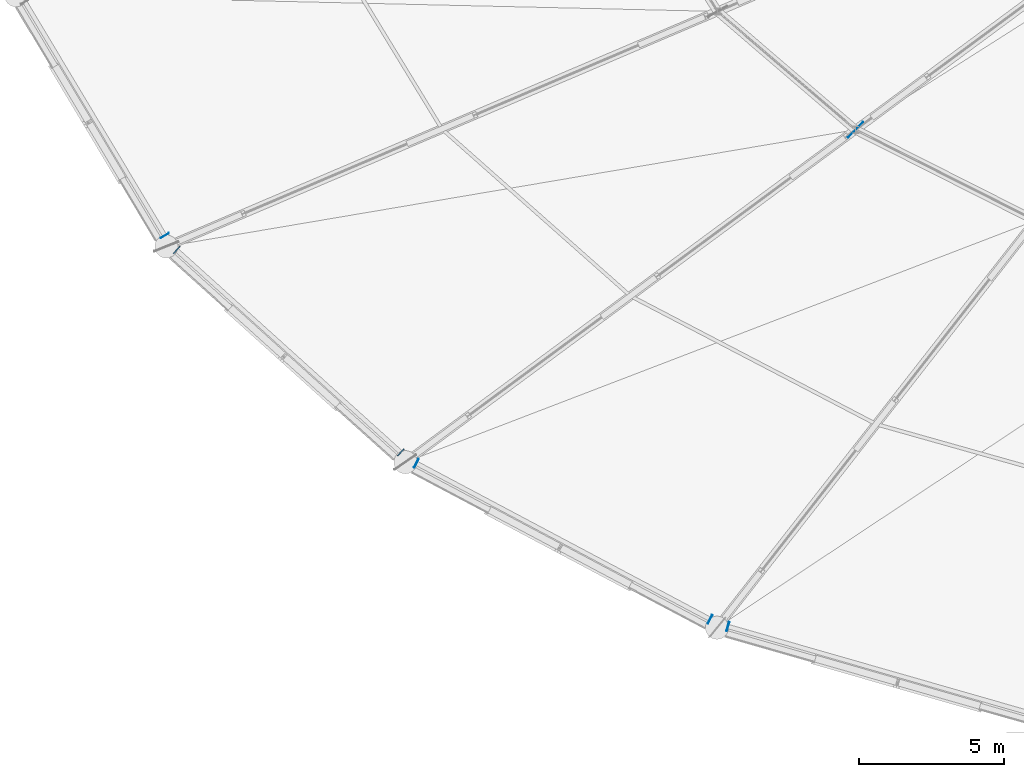
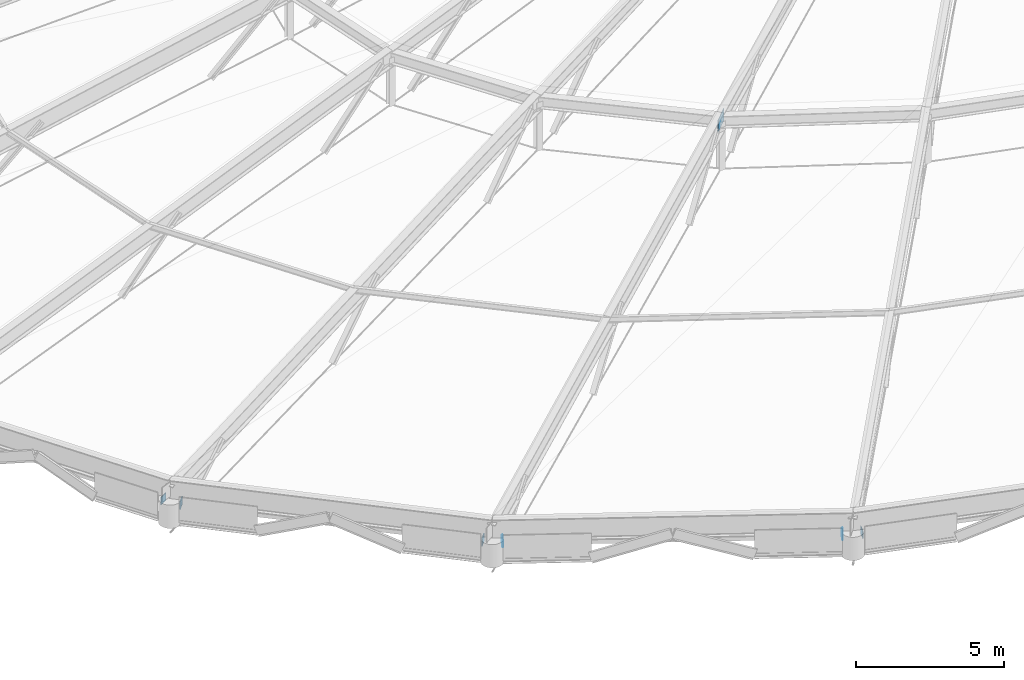
# One storey, part 58 of 83: 7 plates.
"""IFC4 building model written with IfcOpenShell, lengths in metres."""

from ifc_helpers import new_model, si_unit, direction, frame, origin, origin_2d, place, context, subcontext, project, spatial, rectangle, extrude, material, layer, layer_set, type_object, element, save


model = new_model("IFC4")

# Units and contexts
model_context = context("Model", 3, precision=1e-05, world=origin(), true_north=direction((0.0, 1.0)))
body_context = subcontext(model_context, "Body", "Model", "MODEL_VIEW")
ifc_project = project(units=[si_unit("LENGTHUNIT", "METRE"), si_unit("AREAUNIT", "SQUARE_METRE"), si_unit("VOLUMEUNIT", "CUBIC_METRE"), si_unit("PLANEANGLEUNIT", "RADIAN"), si_unit("MASSUNIT", "GRAM", prefix="KILO")], contexts=[model_context])

# Site, building, storey
site_placement = place(None, origin())
site = spatial("IfcSite", under=ifc_project, at=site_placement, CompositionType="ELEMENT")
building_placement = place(site_placement, origin())
building = spatial("IfcBuilding", under=site, at=building_placement, Name="Kivolera Central Railway Station", CompositionType="ELEMENT")
storey_placement = place(building_placement, frame((0.0, 0.0, 14.39990234375)))
storey = spatial("IfcBuildingStorey", under=building, at=storey_placement, Name="L03", CompositionType="ELEMENT", Elevation=14.39990234375)

# Plates
ifc_material = material(Name="Steel S355", Category="steel")
ifc_layer_1 = layer(ifc_material, 0.02490234375, Name="Steel S355")
ifc_layer_set_1 = layer_set([ifc_layer_1], Name="Steel S355")
plate_type_1 = type_object("IfcPlateType", Name="PLT-CAP-320", PredefinedType="SHEET", material=ifc_layer_set_1)
for number, where, z_axis, x_axis, name in (
    (1, (18.910888671875, 72.3759765625, 0.735107421875), (0.513369912177, -0.858167427296, 0.0), (0.858167427296, 0.513369912177, 0.0), "Hollow section end-cap plate NP-CAP1"),
    (2, (19.324951171875, 71.873046875, 0.735107421875), (0.742405923756, -0.66995032978, 0.0), (0.66995032978, 0.742405923756, 0.0), "Hollow section end-cap plate NP-CAP1"),
    (3, (27.06689453125, 64.885986328125, 0.735107421875), (0.742405923756, -0.66995032978, 0.0), (0.66995032978, 0.742405923756, 0.0), "Hollow section end-cap plate NP-CAP1"),
    (4, (27.60791015625, 64.508056640625, 0.735107421875), (0.883132628524, -0.469123395747, 0.0), (0.469123395747, 0.883132628524, 0.0), "Hollow section end-cap plate NP-CAP1"),
    (5, (37.759033203125, 59.115966796875, 0.735107421875), (0.883132628524, -0.469123395747, 0.0), (0.469123395747, 0.883132628524, 0.0), "Hollow section end-cap plate NP-CAP1"),
    (6, (38.376953125, 58.865966796875, 0.735107421875), (0.961251247527, -0.275673791151, 0.0), (0.275673791151, 0.961251247527, 0.0), "Hollow section end-cap plate NP-CAP1"),
):
    element("IfcPlate", number, at=place(storey_placement, frame(where, z_axis=z_axis, x_axis=x_axis)), inside=storey, type_object=plate_type_1, Name=name, PredefinedType="SHEET", context=body_context, shape_type="SweptSolid", body=[
        extrude(rectangle(XDim=0.320068359375, YDim=0.320068359375, at=origin_2d()), frame((0.0, 0.0, -0.012451171875)), (0.0, 0.0, 1.0), 0.02490234375),
    ])
ifc_layer_2 = layer(ifc_material, 0.02392578125, Name="Steel S355")
ifc_layer_set_2 = layer_set([ifc_layer_2], Name="Steel S355")
plate_type_2 = type_object("IfcPlateType", Name="PLT-GUS-750", PredefinedType="SHEET", material=ifc_layer_set_2)
plate_placement = place(storey_placement, frame((42.787109375, 76.034912109375, 5.530029296875), z_axis=(0.0, 0.0, 1.0), x_axis=(-0.707106781187, -0.707106781187, 0.0)))
element("IfcPlate", 7, at=plate_placement, inside=storey, type_object=plate_type_2, Name="Dome Ring Node Gusset Plate R1-16", PredefinedType="SHEET", context=body_context, shape_type="SweptSolid", body=[
    extrude(rectangle(XDim=0.75, YDim=0.02392578125, at=origin_2d()), origin(), (0.0, 0.0, 1.0), 0.5),
])

save(model, "model.ifc")
